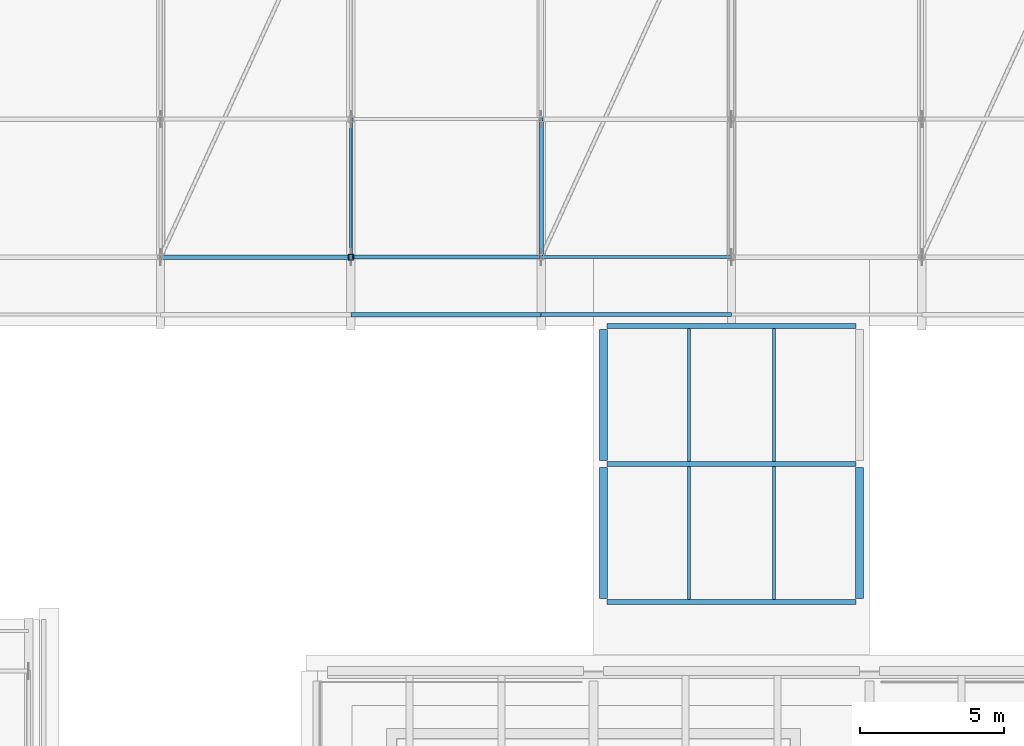
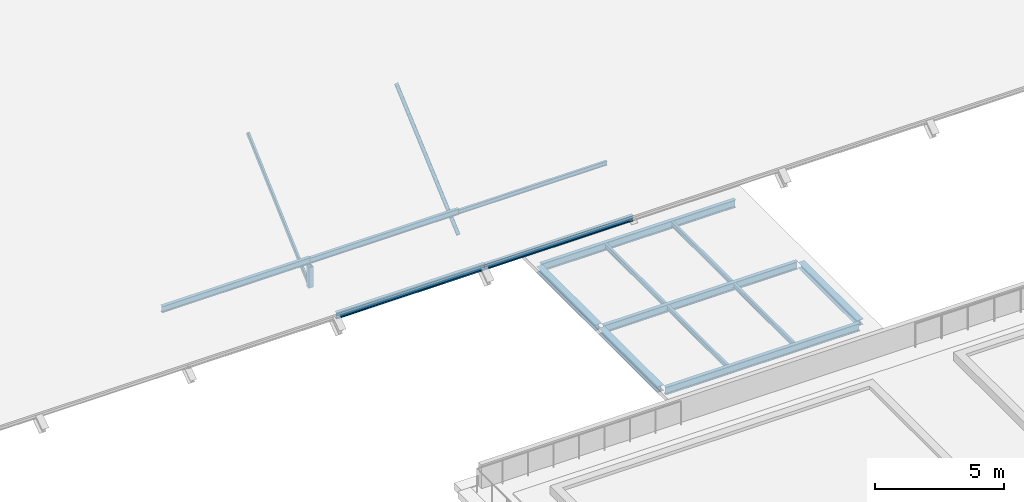
# One storey, part 51 of 134: 10 beams, 8 members.
"""IFC4 building model written with IfcOpenShell, lengths in metres."""

from ifc_helpers import new_model, si_unit, direction, frame, origin, origin_2d, place, context, subcontext, project, spatial, hollow_rectangle, hollow_circle, i_section, extrude, material, material_profile, profile_set, type_object, element, save


model = new_model("IFC4")

# Units and contexts
model_context = context("Model", 3, precision=1e-05, world=origin(), true_north=direction((0.0, 1.0)))
body_context = subcontext(model_context, "Body", "Model", "MODEL_VIEW")
ifc_project = project(units=[si_unit("LENGTHUNIT", "METRE"), si_unit("AREAUNIT", "SQUARE_METRE"), si_unit("VOLUMEUNIT", "CUBIC_METRE"), si_unit("PLANEANGLEUNIT", "RADIAN"), si_unit("MASSUNIT", "GRAM", prefix="KILO")], contexts=[model_context])

# Site, building, storey
site_placement = place(None, origin())
site = spatial("IfcSite", under=ifc_project, at=site_placement, CompositionType="ELEMENT")
building_placement = place(site_placement, origin())
building = spatial("IfcBuilding", under=site, at=building_placement, Name="Asteropetra Specialist Clinic", CompositionType="ELEMENT")
storey_placement = place(building_placement, frame((0.0, 0.0, 8.5)))
storey = spatial("IfcBuildingStorey", under=building, at=storey_placement, Name="L02", CompositionType="ELEMENT", Elevation=8.5)

# Beams
ifc_material_1 = material(Name="Steel S355", Category="steel")
ifc_material_profile_1 = material_profile(ifc_material_1, i_section(OverallWidth=0.280029296875, OverallDepth=0.27001953125, WebThickness=0.008056640625, FlangeThickness=0.012939453125, FilletRadius=0.02392578125, at=origin_2d()), Name="HEA 280")
ifc_profile_set_1 = profile_set([ifc_material_profile_1], Name="Steel S355")
beam_type_1 = type_object("IfcBeamType", Name="BM-STL-HEA280", PredefinedType="BEAM", material=ifc_profile_set_1)
for number, where, z_axis, x_axis, name in (
    (1, (115.550048828125, 64.919921875, -0.324951171875), (0.0, 1.0, 0.0), (-1.0, 0.0, 0.0), "Beam BBMS6-1362"),
    (2, (124.449951171875, 64.919921875, -0.324951171875), (0.0, 1.0, 0.0), (-1.0, 0.0, 0.0), "Beam BBMS6-1363"),
    (3, (115.550048828125, 69.719970703125, -0.324951171875), (0.0, 1.0, 0.0), (-1.0, 0.0, 0.0), "Beam BBMS6-1366"),
):
    element("IfcBeam", number, at=place(storey_placement, frame(where, z_axis=z_axis, x_axis=x_axis)), inside=storey, type_object=beam_type_1, Name=name, PredefinedType="BEAM", context=body_context, shape_type="SweptSolid", body=[
        extrude(i_section(OverallWidth=0.280029296875, OverallDepth=0.27001953125, WebThickness=0.008056640625, FlangeThickness=0.012939453125, FilletRadius=0.02392578125, at=origin_2d()), origin(), (0.0, 0.0, 1.0), 4.56005859375),
    ])
ifc_material_2 = material(Name="Steel S355", Category="steel")
ifc_material_profile_2 = material_profile(ifc_material_2, i_section(OverallWidth=0.169921875, OverallDepth=0.360107421875, WebThickness=0.008056640625, FlangeThickness=0.0126953125, FilletRadius=0.01806640625, at=origin_2d()), Name="IPE 360")
ifc_profile_set_2 = profile_set([ifc_material_profile_2], Name="Steel S355")
beam_type_2 = type_object("IfcBeamType", Name="BM-STL-IPE360", PredefinedType="BEAM", material=ifc_profile_set_2)
for number, where, z_axis, x_axis, name in (
    (4, (115.669921875, 64.800048828125, -0.3701171875), (1.0, 0.0, 0.0), (0.0, 1.0, 0.0), "Beam BBMS4-1359"),
    (5, (115.669921875, 69.60009765625, -0.3701171875), (1.0, 0.0, 0.0), (0.0, 1.0, 0.0), "Beam BBMS4-1360"),
    (6, (115.669921875, 74.39990234375, -0.3701171875), (1.0, 0.0, 0.0), (0.0, 1.0, 0.0), "Beam BBMS4-1361"),
):
    element("IfcBeam", number, at=place(storey_placement, frame(where, z_axis=z_axis, x_axis=x_axis)), inside=storey, type_object=beam_type_2, Name=name, PredefinedType="BEAM", context=body_context, shape_type="SweptSolid", body=[
        extrude(i_section(OverallWidth=0.169921875, OverallDepth=0.360107421875, WebThickness=0.008056640625, FlangeThickness=0.0126953125, FilletRadius=0.01806640625, at=origin_2d()), origin(), (0.0, 0.0, 1.0), 8.66015625),
    ])
ifc_material_3 = material(Name="Steel S355", Category="steel")
ifc_material_profile_3 = material_profile(ifc_material_3, i_section(OverallWidth=0.110107421875, OverallDepth=0.219970703125, WebThickness=0.005859375, FlangeThickness=0.00927734375, FilletRadius=0.011962890625, at=origin_2d()), Name="IPE 220")
ifc_profile_set_3 = profile_set([ifc_material_profile_3], Name="Steel S355")
beam_type_3 = type_object("IfcBeamType", Name="JST-STL-IPE220", PredefinedType="JOIST", material=ifc_profile_set_3)
for number, where, z_axis, x_axis, name in (
    (7, (118.5166015625, 64.885009765625, -0.300048828125), (0.0, 1.0, 0.0), (-1.0, 0.0, 0.0), "Joist JJSTS2-1364"),
    (8, (121.4833984375, 64.885009765625, -0.300048828125), (0.0, 1.0, 0.0), (-1.0, 0.0, 0.0), "Joist JJSTS2-1365"),
    (9, (118.5166015625, 69.68505859375, -0.300048828125), (0.0, 1.0, 0.0), (-1.0, 0.0, 0.0), "Joist JJSTS2-1368"),
    (10, (121.4833984375, 69.68505859375, -0.300048828125), (0.0, 1.0, 0.0), (-1.0, 0.0, 0.0), "Joist JJSTS2-1369"),
):
    element("IfcBeam", number, at=place(storey_placement, frame(where, z_axis=z_axis, x_axis=x_axis)), inside=storey, type_object=beam_type_3, Name=name, PredefinedType="JOIST", context=body_context, shape_type="SweptSolid", body=[
        extrude(i_section(OverallWidth=0.110107421875, OverallDepth=0.219970703125, WebThickness=0.005859375, FlangeThickness=0.00927734375, FilletRadius=0.011962890625, at=origin_2d()), origin(), (0.0, 0.0, 1.0), 4.6298828125),
    ])

# Members
ifc_material_4 = material(Name="Steel S355", Category="steel")
ifc_material_profile_4 = material_profile(ifc_material_4, hollow_circle(Radius=0.084228515625, WallThickness=0.008056640625, at=origin_2d()), Name="CHS 168.3x8.0")
ifc_profile_set_4 = profile_set([ifc_material_profile_4], Name="Steel S355")
member_type_1 = type_object("IfcMemberType", Name="TR-BRC-CHS168", PredefinedType="BRACE", material=ifc_profile_set_4)
member_1_placement = place(storey_placement, frame((113.3798828125, 76.800048828125, 0.4951171875), z_axis=(0.0, 0.750802143462, 0.660527169292), x_axis=(-1.0, 0.0, 0.0)))
element("IfcMember", 11, at=member_1_placement, inside=storey, type_object=member_type_1, Name="Truss Web Diagonal TRV1-D05-0", PredefinedType="BRACE", context=body_context, shape_type="SweptSolid", body=[
    extrude(hollow_circle(Radius=0.084228515625, WallThickness=0.008056640625, at=origin_2d()), origin(), (0.0, 0.0, 1.0), 6.393310546875),
])
ifc_material_5 = material(Name="Steel S355", Category="steel")
ifc_material_profile_5 = material_profile(ifc_material_5, hollow_rectangle(XDim=0.10009765625, YDim=0.179931640625, WallThickness=0.008056640625, InnerFilletRadius=0.008056640625, OuterFilletRadius=0.01611328125, at=origin_2d()), Name="RHS 180x100x8.0")
ifc_profile_set_5 = profile_set([ifc_material_profile_5], Name="Steel S355")
member_type_2 = type_object("IfcMemberType", Name="TR-BRC-RHS180", PredefinedType="BRACE", material=ifc_profile_set_5)
member_2_placement = place(storey_placement, frame((106.760009765625, 76.800048828125, 0.3701171875), z_axis=(0.0, 0.741151641795, 0.671337652649), x_axis=(-1.0, 0.0, 0.0)))
element("IfcMember", 12, at=member_2_placement, inside=storey, type_object=member_type_2, Name="Truss Web Diagonal TRV1-D04-0", PredefinedType="BRACE", context=body_context, shape_type="SweptSolid", body=[
    extrude(hollow_rectangle(XDim=0.10009765625, YDim=0.179931640625, WallThickness=0.008056640625, InnerFilletRadius=0.008056640625, OuterFilletRadius=0.01611328125, at=origin_2d()), origin(), (0.0, 0.0, 1.0), 6.4765625),
])
ifc_material_6 = material(Name="Steel S355", Category="steel")
ifc_material_profile_6 = material_profile(ifc_material_6, i_section(OverallWidth=0.10009765625, OverallDepth=0.199951171875, WebThickness=0.005615234375, FlangeThickness=0.008544921875, FilletRadius=0.011962890625, at=origin_2d()), Name="IPE 200")
ifc_profile_set_6 = profile_set([ifc_material_profile_6], Name="Steel S355")
member_type_3 = type_object("IfcMemberType", Name="TR-PUR-IPE200", PredefinedType="PURLIN", material=ifc_profile_set_6)
member_3_placement = place(storey_placement, frame((113.3798828125, 76.800048828125, 1.58154296875), z_axis=(1.0, 0.0, 0.0), x_axis=(0.0, 1.0, 0.0)))
element("IfcMember", 13, at=member_3_placement, inside=storey, type_object=member_type_3, Name="Roof Purlin TRV1-P05-02", PredefinedType="PURLIN", context=body_context, shape_type="SweptSolid", body=[
    extrude(i_section(OverallWidth=0.10009765625, OverallDepth=0.199951171875, WebThickness=0.005615234375, FlangeThickness=0.008544921875, FilletRadius=0.011962890625, at=origin_2d()), origin(), (0.0, 0.0, 1.0), 6.6201171875),
])
ifc_material_7 = material(Name="Steel S355", Category="steel")
ifc_material_profile_7 = material_profile(ifc_material_7, i_section(OverallWidth=0.135009765625, OverallDepth=0.27001953125, WebThickness=0.006591796875, FlangeThickness=0.01025390625, FilletRadius=0.014892578125, at=origin_2d()), Name="IPE 270")
ifc_profile_set_7 = profile_set([ifc_material_profile_7], Name="Steel S355")
member_type_4 = type_object("IfcMemberType", Name="TR-PUR-IPE270", PredefinedType="PURLIN", material=ifc_profile_set_7)
member_4_placement = place(storey_placement, frame((106.760009765625, 76.800048828125, 1.61669921875), z_axis=(1.0, 0.0, 0.0), x_axis=(0.0, 1.0, 0.0)))
element("IfcMember", 14, at=member_4_placement, inside=storey, type_object=member_type_4, Name="Roof Purlin TRV1-P04-02", PredefinedType="PURLIN", context=body_context, shape_type="SweptSolid", body=[
    extrude(i_section(OverallWidth=0.135009765625, OverallDepth=0.27001953125, WebThickness=0.006591796875, FlangeThickness=0.01025390625, FilletRadius=0.014892578125, at=origin_2d()), origin(), (0.0, 0.0, 1.0), 6.619873046875),
])
member_5_placement = place(storey_placement, frame((113.3798828125, 74.800048828125, 0.2119140625), z_axis=(1.0, 0.0, 0.0), x_axis=(0.0, 1.0, 0.0)))
element("IfcMember", 15, at=member_5_placement, inside=storey, type_object=member_type_4, Name="Roof Purlin TRV1-P05-01", PredefinedType="PURLIN", context=body_context, shape_type="SweptSolid", body=[
    extrude(i_section(OverallWidth=0.135009765625, OverallDepth=0.27001953125, WebThickness=0.006591796875, FlangeThickness=0.01025390625, FilletRadius=0.014892578125, at=origin_2d()), origin(), (0.0, 0.0, 1.0), 6.6201171875),
])
ifc_material_8 = material(Name="Steel S355", Category="steel")
ifc_material_profile_8 = material_profile(ifc_material_8, i_section(OverallWidth=0.14990234375, OverallDepth=0.300048828125, WebThickness=0.007080078125, FlangeThickness=0.0107421875, FilletRadius=0.014892578125, at=origin_2d()), Name="IPE 300")
ifc_profile_set_8 = profile_set([ifc_material_profile_8], Name="Steel S355")
member_type_5 = type_object("IfcMemberType", Name="TR-PUR-IPE300", PredefinedType="PURLIN", material=ifc_profile_set_8)
member_6_placement = place(storey_placement, frame((100.139892578125, 76.800048828125, 1.631591796875), z_axis=(1.0, 0.0, 0.0), x_axis=(0.0, 1.0, 0.0)))
element("IfcMember", 16, at=member_6_placement, inside=storey, type_object=member_type_5, Name="Roof Purlin TRV1-P03-02", PredefinedType="PURLIN", context=body_context, shape_type="SweptSolid", body=[
    extrude(i_section(OverallWidth=0.14990234375, OverallDepth=0.300048828125, WebThickness=0.007080078125, FlangeThickness=0.0107421875, FilletRadius=0.014892578125, at=origin_2d()), origin(), (0.0, 0.0, 1.0), 6.6201171875),
])
member_7_placement = place(storey_placement, frame((106.760009765625, 74.800048828125, 0.226806640625), z_axis=(1.0, 0.0, 0.0), x_axis=(0.0, 1.0, 0.0)))
element("IfcMember", 17, at=member_7_placement, inside=storey, type_object=member_type_5, Name="Roof Purlin TRV1-P04-01", PredefinedType="PURLIN", context=body_context, shape_type="SweptSolid", body=[
    extrude(i_section(OverallWidth=0.14990234375, OverallDepth=0.300048828125, WebThickness=0.007080078125, FlangeThickness=0.0107421875, FilletRadius=0.014892578125, at=origin_2d()), origin(), (0.0, 0.0, 1.0), 6.619873046875),
])
ifc_material_9 = material(Name="Steel S355", Category="steel")
ifc_material_profile_9 = material_profile(ifc_material_9, hollow_rectangle(XDim=0.199951171875, YDim=0.199951171875, WallThickness=0.010009765625, InnerFilletRadius=0.008056640625, OuterFilletRadius=0.01611328125, at=origin_2d()), Name="SHS 200x200x10.0")
ifc_profile_set_9 = profile_set([ifc_material_profile_9], Name="Steel S355")
member_type_6 = type_object("IfcMemberType", Name="TR-STR-SHS200", PredefinedType="STRUT", material=ifc_profile_set_9)
member_8_placement = place(storey_placement, frame((106.760009765625, 76.800048828125, 0.3701171875), z_axis=(0.0, 0.0, 1.0), x_axis=(1.0, 0.0, 0.0)))
element("IfcMember", 18, at=member_8_placement, inside=storey, type_object=member_type_6, Name="Truss Web Strut TRV1-V04-0", PredefinedType="STRUT", context=body_context, shape_type="SweptSolid", body=[
    extrude(hollow_rectangle(XDim=0.199951171875, YDim=0.199951171875, WallThickness=0.010009765625, InnerFilletRadius=0.008056640625, OuterFilletRadius=0.01611328125, at=origin_2d()), origin(), (0.0, 0.0, 1.0), 0.9765625),
])

save(model, "model.ifc")
